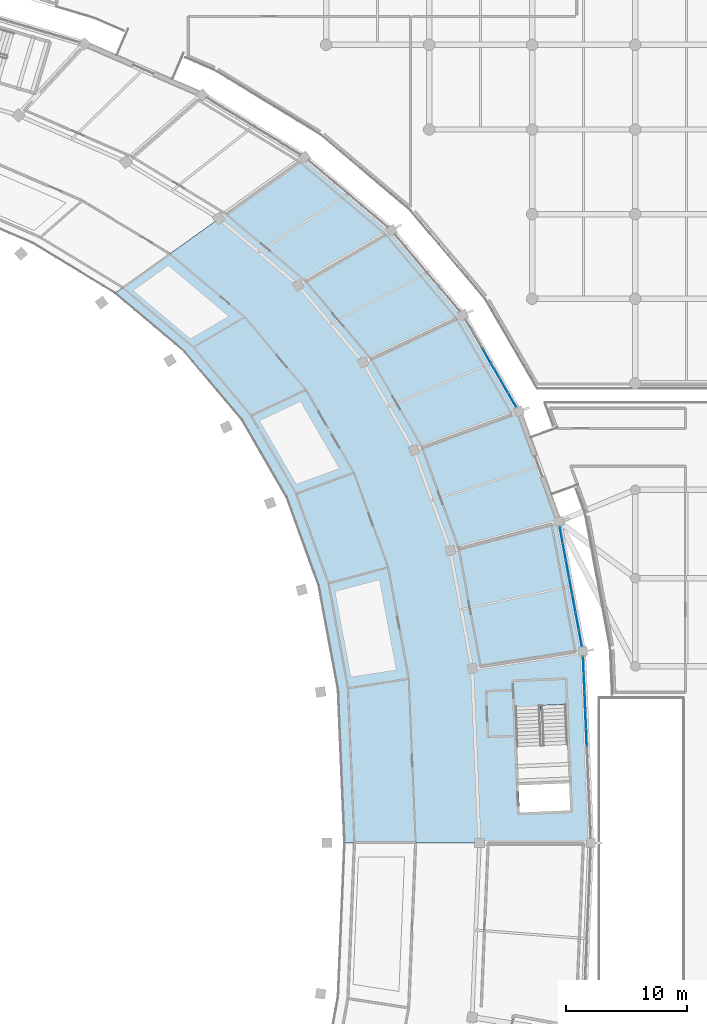
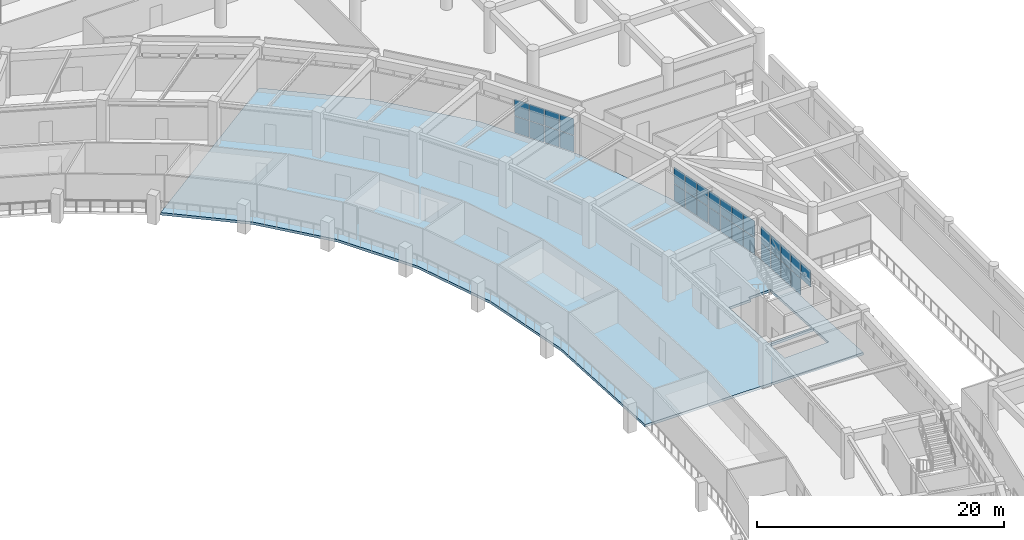
# One storey, part 81 of 141: 31 plates, 1 slab, 3 elements without a shape of their own.
"""IFC4 building model written with IfcOpenShell, lengths in metres."""

from ifc_helpers import new_model, si_unit, direction, frame, origin, origin_2d, place, context, subcontext, project, spatial, polyline, rectangle, outline, extrude, material, layer, layer_set, type_object, element, aggregate, save


model = new_model("IFC4")

# Units and contexts
model_context = context("Model", 3, precision=1e-05, world=origin(), true_north=direction((0.0, 1.0)))
body_context = subcontext(model_context, "Body", "Model", "MODEL_VIEW")
ifc_project = project(units=[si_unit("LENGTHUNIT", "METRE"), si_unit("AREAUNIT", "SQUARE_METRE"), si_unit("VOLUMEUNIT", "CUBIC_METRE"), si_unit("PLANEANGLEUNIT", "RADIAN"), si_unit("MASSUNIT", "GRAM", prefix="KILO")], contexts=[model_context])

# Site, building, storey
site_placement = place(None, origin())
site = spatial("IfcSite", under=ifc_project, at=site_placement, CompositionType="ELEMENT")
building_placement = place(site_placement, origin())
building = spatial("IfcBuilding", under=site, at=building_placement, Name="Mphavela Belvedere Stadium", CompositionType="ELEMENT")
storey_placement = place(building_placement, frame((0.0, 0.0, 14.699951171875)))
storey = spatial("IfcBuildingStorey", under=building, at=storey_placement, Name="L03", CompositionType="ELEMENT", Elevation=14.699951171875)

# Curtain wall, plates
ifc_material_1 = material(Name="Anodised bronze unitised curtain wall framing")
ifc_layer_1 = layer(ifc_material_1, 0.179931640625)
ifc_layer_set_1 = layer_set([ifc_layer_1], Name="Anodised bronze unitised curtain wall framing")
curtain_wall_type_1 = type_object("IfcCurtainWallType", Name="CW-UNIT-01", PredefinedType="USERDEFINED", material=ifc_layer_set_1)
curtain_wall_1_placement = place(storey_placement, origin())
curtain_wall_1 = element("IfcCurtainWall", 1, at=curtain_wall_1_placement, inside=storey, type_object=curtain_wall_type_1, Name="Belvedere colonnade curtain wall L03-01", ObjectType="UNITISED CURTAIN WALL", PredefinedType="USERDEFINED")
ifc_material_2 = material(Name="Solar-control double glazing", Category="glass")
ifc_layer_2 = layer(ifc_material_2, 0.031982421875)
ifc_layer_set_2 = layer_set([ifc_layer_2], Name="Solar-control double glazing")
plate_type = type_object("IfcPlateType", Name="CWP-SOLAR-GLASS", PredefinedType="CURTAIN_PANEL", material=ifc_layer_set_2)
plate_1_placement = place(storey_placement, frame((217.4560546875, 95.677490234375, 1.739990234375), z_axis=(0.0, 0.0, 1.0), x_axis=(-0.041911272788, 0.999121336582, 0.0)))
plate_1 = element("IfcPlate", 2, at=plate_1_placement, type_object=plate_type, Name="CW-01 panel 6.2", PredefinedType="CURTAIN_PANEL", context=body_context, shape_type="SweptSolid", body=[
    extrude(rectangle(XDim=1.4462890625, YDim=0.031982421875, at=origin_2d()), origin(), (0.0, 0.0, 1.0), 1.6201171875),
])
plate_2_placement = place(storey_placement, frame((217.392578125, 97.1875, 0.06005859375), z_axis=(0.0, 0.0, 1.0), x_axis=(-0.041911272788, 0.999121336582, 0.0)))
plate_2 = element("IfcPlate", 3, at=plate_2_placement, type_object=plate_type, Name="CW-01 panel 7.1", PredefinedType="CURTAIN_PANEL", context=body_context, shape_type="SweptSolid", body=[
    extrude(rectangle(XDim=1.4462890625, YDim=0.031982421875, at=origin_2d()), origin(), (0.0, 0.0, 1.0), 1.6201171875),
])
plate_3_placement = place(storey_placement, frame((217.392578125, 97.1875, 1.739990234375), z_axis=(0.0, 0.0, 1.0), x_axis=(-0.041911272788, 0.999121336582, 0.0)))
plate_3 = element("IfcPlate", 4, at=plate_3_placement, type_object=plate_type, Name="CW-01 panel 7.2", PredefinedType="CURTAIN_PANEL", context=body_context, shape_type="SweptSolid", body=[
    extrude(rectangle(XDim=1.4462890625, YDim=0.031982421875, at=origin_2d()), origin(), (0.0, 0.0, 1.0), 1.6201171875),
])
plate_4_placement = place(storey_placement, frame((217.329345703125, 98.697509765625, 0.06005859375), z_axis=(0.0, 0.0, 1.0), x_axis=(-0.041911272788, 0.999121336582, 0.0)))
plate_4 = element("IfcPlate", 5, at=plate_4_placement, type_object=plate_type, Name="CW-01 panel 8.1", PredefinedType="CURTAIN_PANEL", context=body_context, shape_type="SweptSolid", body=[
    extrude(rectangle(XDim=1.4462890625, YDim=0.031982421875, at=origin_2d()), origin(), (0.0, 0.0, 1.0), 1.6201171875),
])
plate_5_placement = place(storey_placement, frame((217.329345703125, 98.697509765625, 1.739990234375), z_axis=(0.0, 0.0, 1.0), x_axis=(-0.041911272788, 0.999121336582, 0.0)))
plate_5 = element("IfcPlate", 6, at=plate_5_placement, type_object=plate_type, Name="CW-01 panel 8.2", PredefinedType="CURTAIN_PANEL", context=body_context, shape_type="SweptSolid", body=[
    extrude(rectangle(XDim=1.4462890625, YDim=0.031982421875, at=origin_2d()), origin(), (0.0, 0.0, 1.0), 1.6201171875),
])
plate_6_placement = place(storey_placement, frame((217.26611328125, 100.207275390625, 0.06005859375), z_axis=(0.0, 0.0, 1.0), x_axis=(-0.041911272788, 0.999121336582, 0.0)))
plate_6 = element("IfcPlate", 7, at=plate_6_placement, type_object=plate_type, Name="CW-01 panel 9.1", PredefinedType="CURTAIN_PANEL", context=body_context, shape_type="SweptSolid", body=[
    extrude(rectangle(XDim=1.4462890625, YDim=0.031982421875, at=origin_2d()), origin(), (0.0, 0.0, 1.0), 1.6201171875),
])
plate_7_placement = place(storey_placement, frame((217.26611328125, 100.207275390625, 1.739990234375), z_axis=(0.0, 0.0, 1.0), x_axis=(-0.041911272788, 0.999121336582, 0.0)))
plate_7 = element("IfcPlate", 8, at=plate_7_placement, type_object=plate_type, Name="CW-01 panel 9.2", PredefinedType="CURTAIN_PANEL", context=body_context, shape_type="SweptSolid", body=[
    extrude(rectangle(XDim=1.4462890625, YDim=0.031982421875, at=origin_2d()), origin(), (0.0, 0.0, 1.0), 1.6201171875),
])
plate_8_placement = place(storey_placement, frame((217.203369140625, 101.701171875, 0.06005859375), z_axis=(0.0, 0.0, 1.0), x_axis=(-0.041911272788, 0.999121336582, 0.0)))
plate_8 = element("IfcPlate", 9, at=plate_8_placement, type_object=plate_type, Name="CW-01 panel 10.1", PredefinedType="CURTAIN_PANEL", context=body_context, shape_type="SweptSolid", body=[
    extrude(rectangle(XDim=1.413818359375, YDim=0.031982421875, at=origin_2d()), origin(), (0.0, 0.0, 1.0), 1.6201171875),
])
plate_9_placement = place(storey_placement, frame((217.203369140625, 101.701171875, 1.739990234375), z_axis=(0.0, 0.0, 1.0), x_axis=(-0.041911272788, 0.999121336582, 0.0)))
plate_9 = element("IfcPlate", 10, at=plate_9_placement, type_object=plate_type, Name="CW-01 panel 10.2", PredefinedType="CURTAIN_PANEL", context=body_context, shape_type="SweptSolid", body=[
    extrude(rectangle(XDim=1.413818359375, YDim=0.031982421875, at=origin_2d()), origin(), (0.0, 0.0, 1.0), 1.6201171875),
])
aggregate(curtain_wall_1, [plate_1, plate_2, plate_3, plate_4, plate_5, plate_6, plate_7, plate_8, plate_9])

ifc_material_3 = material(Name="Anodised bronze unitised curtain wall framing")
ifc_layer_3 = layer(ifc_material_3, 0.18505859375)
ifc_layer_set_3 = layer_set([ifc_layer_3], Name="Anodised bronze unitised curtain wall framing")
curtain_wall_type_2 = type_object("IfcCurtainWallType", Name="CW-UNIT-02", PredefinedType="USERDEFINED", material=ifc_layer_set_3)
curtain_wall_2_placement = place(storey_placement, origin())
curtain_wall_2 = element("IfcCurtainWall", 11, at=curtain_wall_2_placement, inside=storey, type_object=curtain_wall_type_2, Name="Belvedere colonnade curtain wall L03-02", ObjectType="UNITISED CURTAIN WALL", PredefinedType="USERDEFINED")
plate_10_placement = place(storey_placement, frame((216.951904296875, 103.94091796875, 0.06005859375), z_axis=(0.0, 0.0, 1.0), x_axis=(-0.182631222254, 0.983181487142, 0.0)))
plate_10 = element("IfcPlate", 12, at=plate_10_placement, type_object=plate_type, Name="CW-02 panel 1.1", PredefinedType="CURTAIN_PANEL", context=body_context, shape_type="SweptSolid", body=[
    extrude(rectangle(XDim=1.353271484375, YDim=0.031982421875, at=origin_2d()), origin(), (0.0, 0.0, 1.0), 1.6201171875),
])
plate_11_placement = place(storey_placement, frame((216.951904296875, 103.94091796875, 1.739990234375), z_axis=(0.0, 0.0, 1.0), x_axis=(-0.182631222254, 0.983181487142, 0.0)))
plate_11 = element("IfcPlate", 13, at=plate_11_placement, type_object=plate_type, Name="CW-02 panel 1.2", PredefinedType="CURTAIN_PANEL", context=body_context, shape_type="SweptSolid", body=[
    extrude(rectangle(XDim=1.353271484375, YDim=0.031982421875, at=origin_2d()), origin(), (0.0, 0.0, 1.0), 1.6201171875),
])
plate_12_placement = place(storey_placement, frame((216.68994140625, 105.35107421875, 0.06005859375), z_axis=(0.0, 0.0, 1.0), x_axis=(-0.182631222254, 0.983181487142, 0.0)))
plate_12 = element("IfcPlate", 14, at=plate_12_placement, type_object=plate_type, Name="CW-02 panel 2.1", PredefinedType="CURTAIN_PANEL", context=body_context, shape_type="SweptSolid", body=[
    extrude(rectangle(XDim=1.3857421875, YDim=0.031982421875, at=origin_2d()), origin(), (0.0, 0.0, 1.0), 1.6201171875),
])
plate_13_placement = place(storey_placement, frame((216.68994140625, 105.35107421875, 1.739990234375), z_axis=(0.0, 0.0, 1.0), x_axis=(-0.182631222254, 0.983181487142, 0.0)))
plate_13 = element("IfcPlate", 15, at=plate_13_placement, type_object=plate_type, Name="CW-02 panel 2.2", PredefinedType="CURTAIN_PANEL", context=body_context, shape_type="SweptSolid", body=[
    extrude(rectangle(XDim=1.3857421875, YDim=0.031982421875, at=origin_2d()), origin(), (0.0, 0.0, 1.0), 1.6201171875),
])
plate_14_placement = place(storey_placement, frame((216.425048828125, 106.77734375, 0.06005859375), z_axis=(0.0, 0.0, 1.0), x_axis=(-0.182631222254, 0.983181487142, 0.0)))
plate_14 = element("IfcPlate", 16, at=plate_14_placement, type_object=plate_type, Name="CW-02 panel 3.1", PredefinedType="CURTAIN_PANEL", context=body_context, shape_type="SweptSolid", body=[
    extrude(rectangle(XDim=1.3857421875, YDim=0.031982421875, at=origin_2d()), origin(), (0.0, 0.0, 1.0), 1.6201171875),
])
plate_15_placement = place(storey_placement, frame((216.425048828125, 106.77734375, 1.739990234375), z_axis=(0.0, 0.0, 1.0), x_axis=(-0.182631222254, 0.983181487142, 0.0)))
plate_15 = element("IfcPlate", 17, at=plate_15_placement, type_object=plate_type, Name="CW-02 panel 3.2", PredefinedType="CURTAIN_PANEL", context=body_context, shape_type="SweptSolid", body=[
    extrude(rectangle(XDim=1.3857421875, YDim=0.031982421875, at=origin_2d()), origin(), (0.0, 0.0, 1.0), 1.6201171875),
])
plate_16_placement = place(storey_placement, frame((216.159912109375, 108.203857421875, 0.06005859375), z_axis=(0.0, 0.0, 1.0), x_axis=(-0.182631222254, 0.983181487142, 0.0)))
plate_16 = element("IfcPlate", 18, at=plate_16_placement, type_object=plate_type, Name="CW-02 panel 4.1", PredefinedType="CURTAIN_PANEL", context=body_context, shape_type="SweptSolid", body=[
    extrude(rectangle(XDim=1.3857421875, YDim=0.031982421875, at=origin_2d()), origin(), (0.0, 0.0, 1.0), 1.6201171875),
])
plate_17_placement = place(storey_placement, frame((216.159912109375, 108.203857421875, 1.739990234375), z_axis=(0.0, 0.0, 1.0), x_axis=(-0.182631222254, 0.983181487142, 0.0)))
plate_17 = element("IfcPlate", 19, at=plate_17_placement, type_object=plate_type, Name="CW-02 panel 4.2", PredefinedType="CURTAIN_PANEL", context=body_context, shape_type="SweptSolid", body=[
    extrude(rectangle(XDim=1.3857421875, YDim=0.031982421875, at=origin_2d()), origin(), (0.0, 0.0, 1.0), 1.6201171875),
])
plate_18_placement = place(storey_placement, frame((215.89501953125, 109.630126953125, 0.06005859375), z_axis=(0.0, 0.0, 1.0), x_axis=(-0.182631222254, 0.983181487142, 0.0)))
plate_18 = element("IfcPlate", 20, at=plate_18_placement, type_object=plate_type, Name="CW-02 panel 5.1", PredefinedType="CURTAIN_PANEL", context=body_context, shape_type="SweptSolid", body=[
    extrude(rectangle(XDim=1.3857421875, YDim=0.031982421875, at=origin_2d()), origin(), (0.0, 0.0, 1.0), 1.6201171875),
])
plate_19_placement = place(storey_placement, frame((215.89501953125, 109.630126953125, 1.739990234375), z_axis=(0.0, 0.0, 1.0), x_axis=(-0.182631222254, 0.983181487142, 0.0)))
plate_19 = element("IfcPlate", 21, at=plate_19_placement, type_object=plate_type, Name="CW-02 panel 5.2", PredefinedType="CURTAIN_PANEL", context=body_context, shape_type="SweptSolid", body=[
    extrude(rectangle(XDim=1.3857421875, YDim=0.031982421875, at=origin_2d()), origin(), (0.0, 0.0, 1.0), 1.6201171875),
])
plate_20_placement = place(storey_placement, frame((215.630126953125, 111.056396484375, 0.06005859375), z_axis=(0.0, 0.0, 1.0), x_axis=(-0.182631222254, 0.983181487142, 0.0)))
plate_20 = element("IfcPlate", 22, at=plate_20_placement, type_object=plate_type, Name="CW-02 panel 6.1", PredefinedType="CURTAIN_PANEL", context=body_context, shape_type="SweptSolid", body=[
    extrude(rectangle(XDim=1.3857421875, YDim=0.031982421875, at=origin_2d()), origin(), (0.0, 0.0, 1.0), 1.6201171875),
])
plate_21_placement = place(storey_placement, frame((215.630126953125, 111.056396484375, 1.739990234375), z_axis=(0.0, 0.0, 1.0), x_axis=(-0.182631222254, 0.983181487142, 0.0)))
plate_21 = element("IfcPlate", 23, at=plate_21_placement, type_object=plate_type, Name="CW-02 panel 6.2", PredefinedType="CURTAIN_PANEL", context=body_context, shape_type="SweptSolid", body=[
    extrude(rectangle(XDim=1.3857421875, YDim=0.031982421875, at=origin_2d()), origin(), (0.0, 0.0, 1.0), 1.6201171875),
])
plate_22_placement = place(storey_placement, frame((215.3681640625, 112.466552734375, 0.06005859375), z_axis=(0.0, 0.0, 1.0), x_axis=(-0.182631222254, 0.983181487142, 0.0)))
plate_22 = element("IfcPlate", 24, at=plate_22_placement, type_object=plate_type, Name="CW-02 panel 7.1", PredefinedType="CURTAIN_PANEL", context=body_context, shape_type="SweptSolid", body=[
    extrude(rectangle(XDim=1.353271484375, YDim=0.031982421875, at=origin_2d()), origin(), (0.0, 0.0, 1.0), 1.6201171875),
])
plate_23_placement = place(storey_placement, frame((215.3681640625, 112.466552734375, 1.739990234375), z_axis=(0.0, 0.0, 1.0), x_axis=(-0.182631222254, 0.983181487142, 0.0)))
plate_23 = element("IfcPlate", 25, at=plate_23_placement, type_object=plate_type, Name="CW-02 panel 7.2", PredefinedType="CURTAIN_PANEL", context=body_context, shape_type="SweptSolid", body=[
    extrude(rectangle(XDim=1.353271484375, YDim=0.031982421875, at=origin_2d()), origin(), (0.0, 0.0, 1.0), 1.6201171875),
])
aggregate(curtain_wall_2, [plate_10, plate_11, plate_12, plate_13, plate_14, plate_15, plate_16, plate_17, plate_18, plate_19, plate_20, plate_21, plate_22, plate_23])

ifc_material_4 = material(Name="Anodised bronze unitised curtain wall framing")
ifc_layer_4 = layer(ifc_material_4, 0.18994140625)
ifc_layer_set_4 = layer_set([ifc_layer_4], Name="Anodised bronze unitised curtain wall framing")
curtain_wall_type_3 = type_object("IfcCurtainWallType", Name="CW-UNIT-03", PredefinedType="USERDEFINED", material=ifc_layer_set_4)
curtain_wall_3_placement = place(storey_placement, origin())
curtain_wall_3 = element("IfcCurtainWall", 26, at=curtain_wall_3_placement, inside=storey, type_object=curtain_wall_type_3, Name="Belvedere colonnade curtain wall L03-04", ObjectType="UNITISED CURTAIN WALL", PredefinedType="USERDEFINED")
plate_24_placement = place(storey_placement, frame((211.307861328125, 123.63037109375, 0.06005859375), z_axis=(0.0, 0.0, 1.0), x_axis=(-0.50055409961, 0.865705257789, 0.0)))
plate_24 = element("IfcPlate", 27, at=plate_24_placement, type_object=plate_type, Name="CW-03 panel 1.1", PredefinedType="CURTAIN_PANEL", context=body_context, shape_type="SweptSolid", body=[
    extrude(rectangle(XDim=1.314453125, YDim=0.031982421875, at=origin_2d()), origin(), (0.0, 0.0, 1.0), 1.6201171875),
])
plate_25_placement = place(storey_placement, frame((211.307861328125, 123.63037109375, 1.739990234375), z_axis=(0.0, 0.0, 1.0), x_axis=(-0.50055409961, 0.865705257789, 0.0)))
plate_25 = element("IfcPlate", 28, at=plate_25_placement, type_object=plate_type, Name="CW-03 panel 1.2", PredefinedType="CURTAIN_PANEL", context=body_context, shape_type="SweptSolid", body=[
    extrude(rectangle(XDim=1.314453125, YDim=0.031982421875, at=origin_2d()), origin(), (0.0, 0.0, 1.0), 1.6201171875),
])
plate_26_placement = place(storey_placement, frame((210.609375, 124.838623046875, 0.06005859375), z_axis=(0.0, 0.0, 1.0), x_axis=(-0.50055409961, 0.865705257789, 0.0)))
plate_26 = element("IfcPlate", 29, at=plate_26_placement, type_object=plate_type, Name="CW-03 panel 2.1", PredefinedType="CURTAIN_PANEL", context=body_context, shape_type="SweptSolid", body=[
    extrude(rectangle(XDim=1.346923828125, YDim=0.031982421875, at=origin_2d()), origin(), (0.0, 0.0, 1.0), 1.6201171875),
])
plate_27_placement = place(storey_placement, frame((210.609375, 124.838623046875, 1.739990234375), z_axis=(0.0, 0.0, 1.0), x_axis=(-0.50055409961, 0.865705257789, 0.0)))
plate_27 = element("IfcPlate", 30, at=plate_27_placement, type_object=plate_type, Name="CW-03 panel 2.2", PredefinedType="CURTAIN_PANEL", context=body_context, shape_type="SweptSolid", body=[
    extrude(rectangle(XDim=1.346923828125, YDim=0.031982421875, at=origin_2d()), origin(), (0.0, 0.0, 1.0), 1.6201171875),
])
plate_28_placement = place(storey_placement, frame((209.902587890625, 126.060791015625, 0.06005859375), z_axis=(0.0, 0.0, 1.0), x_axis=(-0.50055409961, 0.865705257789, 0.0)))
plate_28 = element("IfcPlate", 31, at=plate_28_placement, type_object=plate_type, Name="CW-03 panel 3.1", PredefinedType="CURTAIN_PANEL", context=body_context, shape_type="SweptSolid", body=[
    extrude(rectangle(XDim=1.346923828125, YDim=0.031982421875, at=origin_2d()), origin(), (0.0, 0.0, 1.0), 1.6201171875),
])
plate_29_placement = place(storey_placement, frame((209.902587890625, 126.060791015625, 1.739990234375), z_axis=(0.0, 0.0, 1.0), x_axis=(-0.50055409961, 0.865705257789, 0.0)))
plate_29 = element("IfcPlate", 32, at=plate_29_placement, type_object=plate_type, Name="CW-03 panel 3.2", PredefinedType="CURTAIN_PANEL", context=body_context, shape_type="SweptSolid", body=[
    extrude(rectangle(XDim=1.346923828125, YDim=0.031982421875, at=origin_2d()), origin(), (0.0, 0.0, 1.0), 1.6201171875),
])
plate_30_placement = place(storey_placement, frame((209.196044921875, 127.282958984375, 0.06005859375), z_axis=(0.0, 0.0, 1.0), x_axis=(-0.50055409961, 0.865705257789, 0.0)))
plate_30 = element("IfcPlate", 33, at=plate_30_placement, type_object=plate_type, Name="CW-03 panel 4.1", PredefinedType="CURTAIN_PANEL", context=body_context, shape_type="SweptSolid", body=[
    extrude(rectangle(XDim=1.346923828125, YDim=0.031982421875, at=origin_2d()), origin(), (0.0, 0.0, 1.0), 1.6201171875),
])
plate_31_placement = place(storey_placement, frame((209.196044921875, 127.282958984375, 1.739990234375), z_axis=(0.0, 0.0, 1.0), x_axis=(-0.50055409961, 0.865705257789, 0.0)))
plate_31 = element("IfcPlate", 34, at=plate_31_placement, type_object=plate_type, Name="CW-03 panel 4.2", PredefinedType="CURTAIN_PANEL", context=body_context, shape_type="SweptSolid", body=[
    extrude(rectangle(XDim=1.346923828125, YDim=0.031982421875, at=origin_2d()), origin(), (0.0, 0.0, 1.0), 1.6201171875),
])
aggregate(curtain_wall_3, [plate_24, plate_25, plate_26, plate_27, plate_28, plate_29, plate_30, plate_31])

# Slab
ifc_material_5 = material(Name="Concrete C40/50", Category="concrete")
ifc_layer_5 = layer(ifc_material_5, 0.25)
ifc_layer_set_5 = layer_set([ifc_layer_5], Name="Concrete C40/50")
slab_type = type_object("IfcSlabType", Name="SLB-CONCOURSE-250", PredefinedType="FLOOR", material=ifc_layer_set_5)
slab_placement = place(storey_placement, frame((0.0, 0.0, -0.25)))
element("IfcSlab", 35, at=slab_placement, inside=storey, type_object=slab_type, Name="Concourse sector slab L03-S1", PredefinedType="FLOOR", context=body_context, shape_type="SweptSolid", body=[
    extrude(outline(polyline([(194.155517578125, 143.714599609375), (201.33837890625, 137.653564453125), (207.242431640625, 130.66162109375), (211.856201171875, 122.682373046875), (215.16455078125, 113.5625), (217.155517578125, 102.844970703125), (217.820068359375, 87.0), (197.449951171875, 87.0), (196.9169921875, 99.705810546875), (195.32080078125, 108.300048828125), (192.66748046875, 115.61328125), (188.968017578125, 122.011474609375), (184.2333984375, 127.618408203125), (178.473876953125, 132.478515625), (194.155517578125, 143.714599609375)]), holes=[polyline([(216.014892578125, 92.157958984375), (215.751220703125, 98.448486328125), (213.657958984375, 98.360595703125), (213.672119140625, 98.02490234375), (211.578857421875, 97.937255859375), (211.82861328125, 91.982421875), (216.014892578125, 92.157958984375)]), polyline([(216.11865234375, 89.68017578125), (216.02392578125, 91.938232421875), (211.837646484375, 91.7626953125), (211.932373046875, 89.504638671875), (216.11865234375, 89.68017578125)])]), origin(), (0.0, 0.0, 1.0), 0.25),
])

save(model, "model.ifc")
